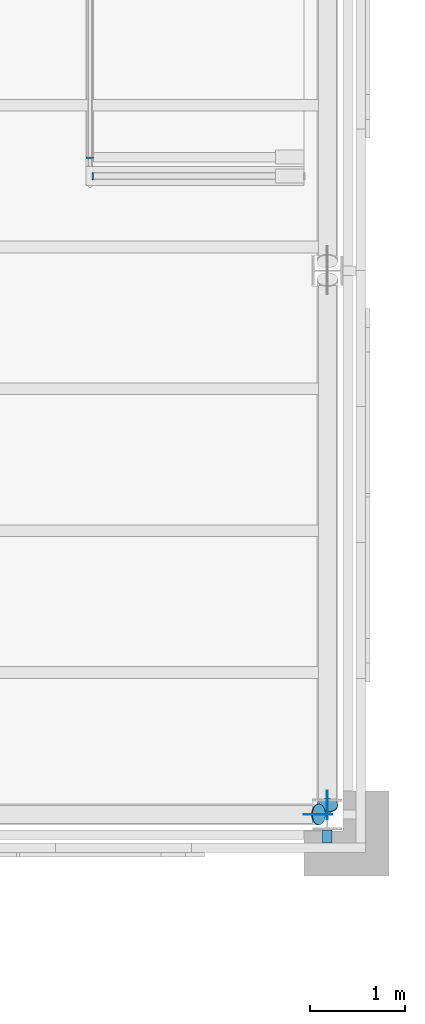
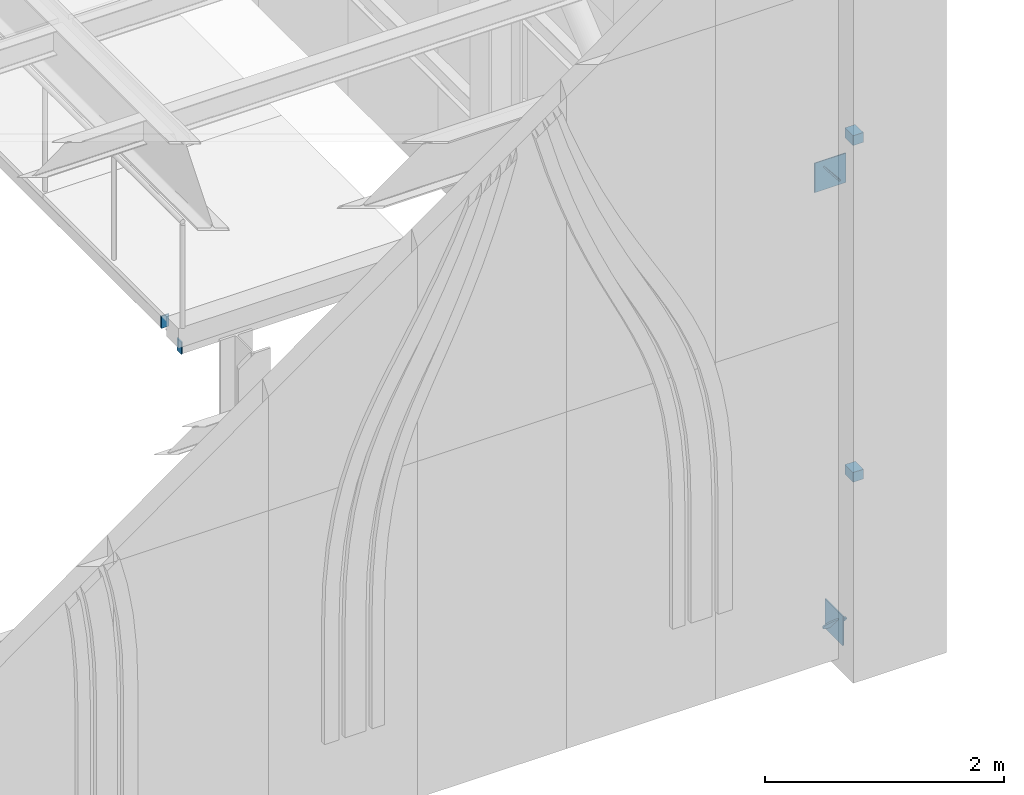
# One storey, part 21 of 43: 8 discrete accessories.
"""IFC4 building model written with IfcOpenShell, lengths in metres."""

from ifc_helpers import new_model, si_unit, direction, frame, origin, origin_2d, place, context, subcontext, project, spatial, rectangle, circle, extrude, material, material_profile, profile_set, type_object, element, save


model = new_model("IFC4")

# Units and contexts
model_context = context("Model", 3, precision=1e-05, world=origin(), true_north=direction((0.0, 1.0)))
body_context = subcontext(model_context, "Body", "Model", "MODEL_VIEW")
ifc_project = project(units=[si_unit("LENGTHUNIT", "METRE"), si_unit("AREAUNIT", "SQUARE_METRE"), si_unit("VOLUMEUNIT", "CUBIC_METRE"), si_unit("PLANEANGLEUNIT", "RADIAN"), si_unit("MASSUNIT", "GRAM", prefix="KILO")], contexts=[model_context])

# Site, building, storey
site_placement = place(None, origin())
site = spatial("IfcSite", under=ifc_project, at=site_placement, CompositionType="ELEMENT")
building_placement = place(site_placement, origin())
building = spatial("IfcBuilding", under=site, at=building_placement, Name="Saffron Lane Theatres", CompositionType="ELEMENT")
storey_placement = place(building_placement, frame((0.0, 0.0, 23.0)))
storey = spatial("IfcBuildingStorey", under=building, at=storey_placement, Name="Roof", CompositionType="ELEMENT", Elevation=23.0)

# Discrete accessories
ifc_material_1 = material(Name="Steel Grade 350", Category="steel")
ifc_material_profile_1 = material_profile(ifc_material_1, rectangle(XDim=0.300048828125, YDim=0.300048828125, at=origin_2d()))
ifc_profile_set_1 = profile_set([ifc_material_profile_1], Name="Steel Grade 350")
discrete_accessory_type_1 = type_object("IfcDiscreteAccessoryType", Name="ST-GUSSET CONNECTION PLATE", PredefinedType="BRACKET", material=ifc_profile_set_1)
for number, where, z_axis, x_axis, name in (
    (1, (47.650634765625, 30.2451171875, 4.766357421875), (0.0, 1.0, 0.0), (-1.0, 0.0, 0.0), "GB114"),
    (2, (47.7451171875, 30.349365234375, 0.083740234375), (1.0, 0.0, 0.0), (0.0, 1.0, 0.0), "GB153"),
):
    element("IfcDiscreteAccessory", number, at=place(storey_placement, frame(where, z_axis=z_axis, x_axis=x_axis)), inside=storey, type_object=discrete_accessory_type_1, Name=name, PredefinedType="BRACKET", context=body_context, shape_type="SweptSolid", body=[
        extrude(rectangle(XDim=0.300048828125, YDim=0.300048828125, at=origin_2d()), origin(), (0.0, 0.0, 1.0), 0.009765625),
    ])
ifc_material_2 = material(Name="Steel Grade 350", Category="steel")
ifc_material_profile_2 = material_profile(ifc_material_2, rectangle(XDim=0.074951171875, YDim=0.125, at=origin_2d()))
ifc_profile_set_2 = profile_set([ifc_material_profile_2], Name="Steel Grade 350")
discrete_accessory_type_2 = type_object("IfcDiscreteAccessoryType", Name="ST-STEEL END CAP 125x75x5 RHS", PredefinedType="ANCHORPLATE", material=ifc_profile_set_2)
for number, where, z_axis, x_axis, name in (
    (3, (45.262939453125, 37.0, -0.262451171875), (1.0, 0.0, 0.0), (0.0, 1.0, 0.0), "EC603"),
    (4, (45.237548828125, 37.18798828125, -0.112548828125), (0.0, 1.0, 0.0), (-1.0, 0.0, 0.0), "EC605"),
):
    element("IfcDiscreteAccessory", number, at=place(storey_placement, frame(where, z_axis=z_axis, x_axis=x_axis)), inside=storey, type_object=discrete_accessory_type_2, Name=name, PredefinedType="ANCHORPLATE", context=body_context, shape_type="SweptSolid", body=[
        extrude(rectangle(XDim=0.074951171875, YDim=0.125, at=origin_2d()), origin(), (0.0, 0.0, 1.0), 0.011962890625),
    ])
ifc_material_3 = material(Name="Steel Grade 350", Category="steel")
ifc_material_profile_3 = material_profile(ifc_material_3, circle(Radius=0.109619140625, at=origin_2d()))
ifc_profile_set_3 = profile_set([ifc_material_profile_3], Name="Steel Grade 350")
discrete_accessory_type_3 = type_object("IfcDiscreteAccessoryType", Name="ST-STEEL END CAP 219.1x8.2 CHS", PredefinedType="ANCHORPLATE", material=ifc_profile_set_3)
discrete_accessory_1_placement = place(storey_placement, frame((47.650634765625, 30.25, 4.766357421875), z_axis=(0.774865020772, 0.0, 0.632126727472), x_axis=(0.0, 1.0, 0.0)))
element("IfcDiscreteAccessory", 5, at=discrete_accessory_1_placement, inside=storey, type_object=discrete_accessory_type_3, Name="EC60", PredefinedType="ANCHORPLATE", context=body_context, shape_type="SweptSolid", body=[
    extrude(circle(Radius=0.109619140625, at=origin_2d()), origin(), (0.0, 0.0, 1.0), 0.011962890625),
])
discrete_accessory_2_placement = place(storey_placement, frame((47.75, 30.340087890625, 0.075927734375), z_axis=(0.0, 0.764911198117, 0.644135745783), x_axis=(-1.0, 0.0, 0.0)))
element("IfcDiscreteAccessory", 6, at=discrete_accessory_2_placement, inside=storey, type_object=discrete_accessory_type_3, Name="EC99", PredefinedType="ANCHORPLATE", context=body_context, shape_type="SweptSolid", body=[
    extrude(circle(Radius=0.109619140625, at=origin_2d()), origin(), (0.0, 0.0, 1.0), 0.01220703125),
])
for number, where, z_axis, x_axis, name in (
    (7, (47.75, 30.018310546875, 1.768798828125), (0.0, 0.0, 1.0), (1.0, 0.0, 0.0), "Tower panel bracket 21"),
    (8, (47.75, 30.018310546875, 5.206298828125), (0.0, 0.0, 1.0), (1.0, 0.0, 0.0), "Tower panel bracket 22"),
):
    element("IfcDiscreteAccessory", number, at=place(storey_placement, frame(where, z_axis=z_axis, x_axis=x_axis)), inside=storey, Name=name, PredefinedType="BRACKET", context=body_context, shape_type="SweptSolid", body=[
        extrude(rectangle(XDim=0.10009765625, YDim=0.136474609375, at=origin_2d()), origin(), (0.0, 0.0, 1.0), 0.10009765625),
    ])

save(model, "model.ifc")
